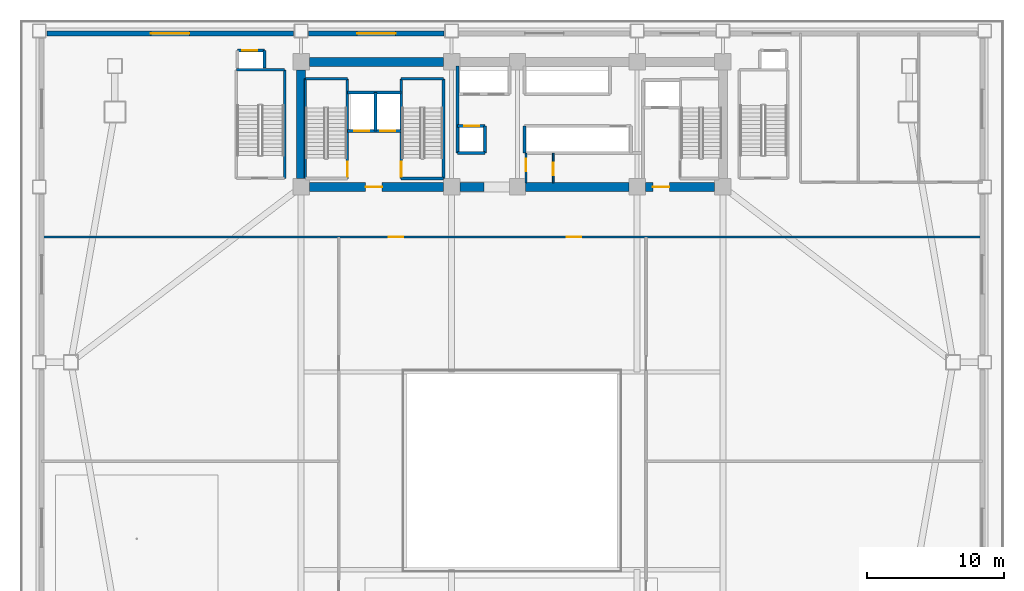
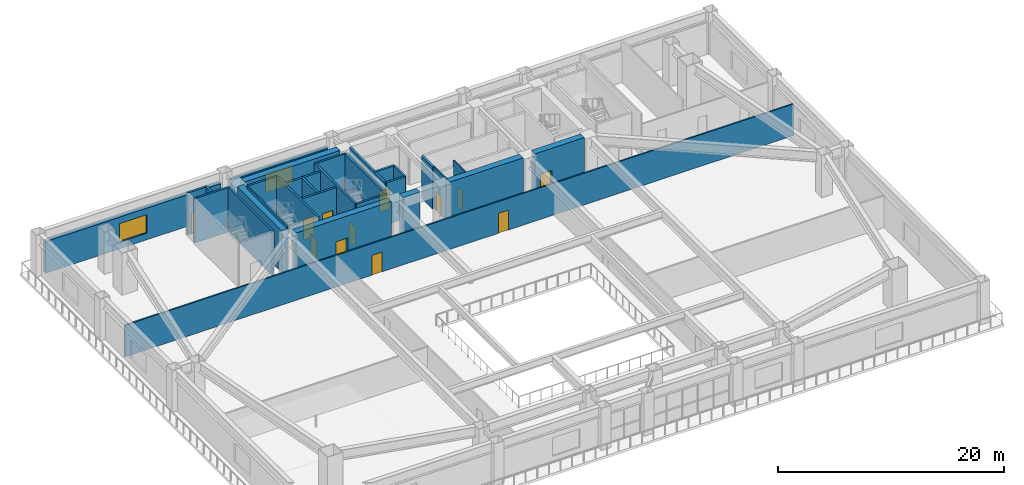
# One storey, part 7 of 14: 30 walls, 12 doors, 2 windows, 14 openings.
"""IFC4 building model written with IfcOpenShell, lengths in metres."""

from ifc_helpers import new_model, si_unit, direction, frame, frame_2d, origin, place, context, subcontext, project, spatial, rectangle, extrude, source, transform, mapped, material, layer, layer_set, type_object, element, fill, save


model = new_model("IFC4")

# Units and contexts
model_context = context("Model", 3, precision=1e-05, world=origin(), true_north=direction((0.0, 1.0)))
body_context = subcontext(model_context, "Body", "Model", "MODEL_VIEW")
ifc_project = project(units=[si_unit("LENGTHUNIT", "METRE"), si_unit("AREAUNIT", "SQUARE_METRE"), si_unit("VOLUMEUNIT", "CUBIC_METRE"), si_unit("PLANEANGLEUNIT", "RADIAN"), si_unit("MASSUNIT", "GRAM", prefix="KILO")], contexts=[model_context])

# Site, building, storey
site_placement = place(None, origin())
site = spatial("IfcSite", under=ifc_project, at=site_placement, CompositionType="ELEMENT")
building_placement = place(site_placement, origin())
building = spatial("IfcBuilding", under=site, at=building_placement, Name="Giltprow Tower", CompositionType="ELEMENT")
storey_placement = place(building_placement, frame((0.0, 0.0, 10.39990234375)))
storey = spatial("IfcBuildingStorey", under=building, at=storey_placement, Name="L03", CompositionType="ELEMENT", Elevation=10.39990234375)

# Wall, opening, window
ifc_material_1 = material(Name="Precast concrete C40", Category="concrete")
ifc_layer_1 = layer(ifc_material_1, 0.360107421875, Name="Precast concrete C40")
ifc_layer_set_1 = layer_set([ifc_layer_1], Name="Precast concrete C40")
wall_type_1 = type_object("IfcWallType", Name="EW-POD-STONE-360", PredefinedType="SOLIDWALL", material=ifc_layer_set_1)
wall_1_placement = place(storey_placement, frame((1.35009765625, 48.6201171875, 0.0), z_axis=(0.0, 0.0, 1.0), x_axis=(1.0, 0.0, 0.0)))
wall_1 = element("IfcWall", 1, at=wall_1_placement, inside=storey, type_object=wall_type_1, Name="L03 North Podium Masonry Wall 1", PredefinedType="SOLIDWALL", context=body_context, shape_type="SweptSolid", body=[
    extrude(rectangle(XDim=17.949951171875, YDim=0.360107421875, at=frame_2d((8.97509765625, 0.0))), origin(), (0.0, 0.0, 1.0), 3.420166015625),
])
opening_1_placement = place(wall_1_placement, frame((7.574951171875, 0.0, 0.719970703125)))
opening_1 = element("IfcOpeningElement", 2, at=opening_1_placement, cuts=wall_1, Name="Opening WN31", PredefinedType="OPENING", context=body_context, shape_type="SweptSolid", body=[
    extrude(rectangle(XDim=2.800048828125, YDim=2.0, at=frame_2d((1.39990234375, 1.0))), frame((0.0, 0.18994140625, 0.0), z_axis=(0.0, -1.0, 0.0), x_axis=(1.0, 0.0, 0.0)), (0.0, 0.0, 1.0), 0.380126953125),
])
ifc_material_2 = material(Name="Insulated glass", Category="glass")
window_type = type_object("IfcWindowType", Name="WN-POD-2800x2000", PartitioningType="SINGLE_PANEL", PredefinedType="WINDOW", material=ifc_material_2)
shared_shape_1 = source(origin(), body_context, "Body", "SweptSolid", [
    extrude(rectangle(XDim=2.800048828125, YDim=2.0, at=frame_2d((1.39990234375, 1.0))), frame((0.0, 0.030029296875, 0.0), z_axis=(0.0, -1.0, 0.0), x_axis=(1.0, 0.0, 0.0)), (0.0, 0.0, 1.0), 0.06005859375),
])
window_1_placement = place(opening_1_placement, origin())
window_1 = element("IfcWindow", 3, at=window_1_placement, inside=storey, type_object=window_type, Name="L03 Podium North Window 1", OverallHeight=2.0, OverallWidth=2.800048828125, PartitioningType="SINGLE_PANEL", PredefinedType="WINDOW", context=body_context, shape_type="MappedRepresentation", body=[
    mapped(shared_shape_1, transform((0.0, 0.0, 0.0), x_axis=(1.0, 0.0, 0.0), y_axis=(0.0, 1.0, 0.0), z_axis=(0.0, 0.0, 1.0), scale=1.0)),
])
fill(opening_1, window_1)

wall_2_placement = place(storey_placement, frame((20.39990234375, 48.6201171875, 0.0), z_axis=(0.0, 0.0, 1.0), x_axis=(1.0, 0.0, 0.0)))
wall_2 = element("IfcWall", 4, at=wall_2_placement, inside=storey, type_object=wall_type_1, Name="L03 North Podium Masonry Wall 2", PredefinedType="SOLIDWALL", context=body_context, shape_type="SweptSolid", body=[
    extrude(rectangle(XDim=9.85009765625, YDim=0.360107421875, at=frame_2d((4.925048828125, 0.0))), origin(), (0.0, 0.0, 1.0), 3.420166015625),
])
opening_2_placement = place(wall_2_placement, frame((3.52490234375, 0.0, 0.719970703125)))
opening_2 = element("IfcOpeningElement", 5, at=opening_2_placement, cuts=wall_2, Name="Opening WN31", PredefinedType="OPENING", context=body_context, shape_type="SweptSolid", body=[
    extrude(rectangle(XDim=2.800048828125, YDim=2.0, at=frame_2d((1.39990234375, 1.0))), frame((0.0, 0.18994140625, 0.0), z_axis=(0.0, -1.0, 0.0), x_axis=(1.0, 0.0, 0.0)), (0.0, 0.0, 1.0), 0.380126953125),
])
window_2_placement = place(opening_2_placement, origin())
window_2 = element("IfcWindow", 6, at=window_2_placement, inside=storey, type_object=window_type, Name="L03 Podium North Window 2", OverallHeight=2.0, OverallWidth=2.800048828125, PartitioningType="SINGLE_PANEL", PredefinedType="WINDOW", context=body_context, shape_type="MappedRepresentation", body=[
    mapped(shared_shape_1, transform((0.0, 0.0, 0.0), x_axis=(1.0, 0.0, 0.0), y_axis=(0.0, 1.0, 0.0), z_axis=(0.0, 0.0, 1.0), scale=1.0)),
])
fill(opening_2, window_2)

# Wall, openings, doors
ifc_material_3 = material(Name="Gypsum stud partition", Category="gypsum")
ifc_layer_2 = layer(ifc_material_3, 0.14990234375, Name="Gypsum stud partition")
ifc_layer_set_2 = layer_set([ifc_layer_2], Name="Gypsum stud partition")
wall_type_2 = type_object("IfcWallType", Name="IW-CORR-150", PredefinedType="PARTITIONING", material=ifc_layer_set_2)
wall_3_placement = place(storey_placement, frame((0.97998046875, 33.800048828125, 0.0), z_axis=(0.0, 0.0, 1.0), x_axis=(1.0, 0.0, 0.0)))
wall_3 = element("IfcWall", 7, at=wall_3_placement, inside=storey, type_object=wall_type_2, Name="L03 Podium North Concourse Wall", PredefinedType="PARTITIONING", context=body_context, shape_type="SweptSolid", body=[
    extrude(rectangle(XDim=68.43994140625, YDim=0.14990234375, at=frame_2d((34.219970703125, 0.0))), origin(), (0.0, 0.0, 1.0), 3.425048828125),
])
opening_3_placement = place(wall_3_placement, frame((25.27001953125, 0.0, 0.0)))
opening_3 = element("IfcOpeningElement", 8, at=opening_3_placement, cuts=wall_3, Name="Opening ID31", PredefinedType="OPENING", context=body_context, shape_type="SweptSolid", body=[
    extrude(rectangle(XDim=1.050048828125, YDim=2.14990234375, at=frame_2d((0.52490234375, 1.074951171875))), frame((0.0, 0.0849609375, 0.0), z_axis=(0.0, -1.0, 0.0), x_axis=(1.0, 0.0, 0.0)), (0.0, 0.0, 1.0), 0.169921875),
])
opening_4_placement = place(wall_3_placement, frame((38.219970703125, 0.0, 0.0)))
opening_4 = element("IfcOpeningElement", 9, at=opening_4_placement, cuts=wall_3, Name="Opening ID31", PredefinedType="OPENING", context=body_context, shape_type="SweptSolid", body=[
    extrude(rectangle(XDim=1.050048828125, YDim=2.14990234375, at=frame_2d((0.52490234375, 1.074951171875))), frame((0.0, 0.0849609375, 0.0), z_axis=(0.0, -1.0, 0.0), x_axis=(1.0, 0.0, 0.0)), (0.0, 0.0, 1.0), 0.169921875),
])
ifc_material_4 = material(Name="Engineered timber", Category="wood")
door_type_1 = type_object("IfcDoorType", Name="DR-SUITE-1050", OperationType="SINGLE_SWING_LEFT", PredefinedType="DOOR", material=ifc_material_4)
shared_shape_2 = source(origin(), body_context, "Body", "SweptSolid", [
    extrude(rectangle(XDim=1.050048828125, YDim=2.14990234375, at=frame_2d((0.52490234375, 1.074951171875))), frame((0.0, 0.02490234375, 0.0), z_axis=(0.0, -1.0, 0.0), x_axis=(1.0, 0.0, 0.0)), (0.0, 0.0, 1.0), 0.050048828125),
])
door_1_placement = place(opening_3_placement, origin())
door_1 = element("IfcDoor", 10, at=door_1_placement, inside=storey, type_object=door_type_1, Name="L03 Atrium Concourse North-West Fire Door", OperationType="SINGLE_SWING_LEFT", OverallHeight=2.14990234375, OverallWidth=1.050048828125, PredefinedType="DOOR", context=body_context, shape_type="MappedRepresentation", body=[
    mapped(shared_shape_2, transform((0.0, 0.0, 0.0), x_axis=(1.0, 0.0, 0.0), y_axis=(0.0, 1.0, 0.0), z_axis=(0.0, 0.0, 1.0), scale=1.0)),
])
fill(opening_3, door_1)
door_2_placement = place(opening_4_placement, origin())
door_2 = element("IfcDoor", 11, at=door_2_placement, inside=storey, type_object=door_type_1, Name="L03 Atrium Concourse North-East Fire Door", OperationType="SINGLE_SWING_RIGHT", OverallHeight=2.14990234375, OverallWidth=1.050048828125, PredefinedType="DOOR", context=body_context, shape_type="MappedRepresentation", body=[
    mapped(shared_shape_2, transform((0.0, 0.0, 0.0), x_axis=(1.0, 0.0, 0.0), y_axis=(0.0, 1.0, 0.0), z_axis=(0.0, 0.0, 1.0), scale=1.0)),
])
fill(opening_4, door_2)

ifc_material_5 = material(Name="Concrete C40", Category="concrete")
ifc_layer_3 = layer(ifc_material_5, 0.219970703125, Name="Concrete C40")
ifc_layer_set_3 = layer_set([ifc_layer_3], Name="Concrete C40")
wall_type_3 = type_object("IfcWallType", Name="IW-SHAFT-220", PredefinedType="SOLIDWALL", material=ifc_layer_set_3)
wall_4_placement = place(storey_placement, frame((23.219970703125, 41.52001953125, 0.0), z_axis=(0.0, 0.0, 1.0), x_axis=(1.0, 0.0, 0.0)))
wall_4 = element("IfcWall", 12, at=wall_4_placement, inside=storey, type_object=wall_type_3, Name="L03 FFL1 and Service Lift Front Wall", PredefinedType="SOLIDWALL", context=body_context, shape_type="SweptSolid", body=[
    extrude(rectangle(XDim=3.919921875, YDim=0.219970703125, at=frame_2d((1.9599609375, 0.0))), origin(), (0.0, 0.0, 1.0), 4.5400390625),
])
opening_5_placement = place(wall_4_placement, frame((0.5, 0.0, 0.0)))
opening_5 = element("IfcOpeningElement", 13, at=opening_5_placement, cuts=wall_4, Name="Opening LD-11", PredefinedType="OPENING", context=body_context, shape_type="SweptSolid", body=[
    extrude(rectangle(XDim=1.10009765625, YDim=2.199951171875, at=frame_2d((0.550048828125, 1.10009765625))), frame((0.0, 0.119873046875, 0.0), z_axis=(0.0, -1.0, 0.0), x_axis=(1.0, 0.0, 0.0)), (0.0, 0.0, 1.0), 0.239990234375),
])
opening_6_placement = place(wall_4_placement, frame((2.39990234375, 0.0, 0.0)))
opening_6 = element("IfcOpeningElement", 14, at=opening_6_placement, cuts=wall_4, Name="Opening LD-11", PredefinedType="OPENING", context=body_context, shape_type="SweptSolid", body=[
    extrude(rectangle(XDim=1.10009765625, YDim=2.199951171875, at=frame_2d((0.550048828125, 1.10009765625))), frame((0.0, 0.119873046875, 0.0), z_axis=(0.0, -1.0, 0.0), x_axis=(1.0, 0.0, 0.0)), (0.0, 0.0, 1.0), 0.239990234375),
])
ifc_material_6 = material(Name="Stainless steel", Category="steel")
door_type_2 = type_object("IfcDoorType", Name="DR-LIFT-LD1100", OperationType="SLIDING_TO_LEFT", PredefinedType="DOOR", material=ifc_material_6)
shared_shape_3 = source(origin(), body_context, "Body", "SweptSolid", [
    extrude(rectangle(XDim=1.10009765625, YDim=2.199951171875, at=frame_2d((0.550048828125, 1.10009765625))), frame((0.0, 0.02490234375, 0.0), z_axis=(0.0, -1.0, 0.0), x_axis=(1.0, 0.0, 0.0)), (0.0, 0.0, 1.0), 0.050048828125),
])
door_3_placement = place(opening_5_placement, origin())
door_3 = element("IfcDoor", 15, at=door_3_placement, inside=storey, type_object=door_type_2, Name="L03 FFL1 Landing Door", OperationType="SLIDING_TO_LEFT", OverallHeight=2.199951171875, OverallWidth=1.10009765625, PredefinedType="DOOR", context=body_context, shape_type="MappedRepresentation", body=[
    mapped(shared_shape_3, transform((0.0, 0.0, 0.0), x_axis=(1.0, 0.0, 0.0), y_axis=(0.0, 1.0, 0.0), z_axis=(0.0, 0.0, 1.0), scale=1.0)),
])
fill(opening_5, door_3)
door_4_placement = place(opening_6_placement, origin())
door_4 = element("IfcDoor", 16, at=door_4_placement, inside=storey, type_object=door_type_2, Name="L03 SVL1 Landing Door", OperationType="SLIDING_TO_LEFT", OverallHeight=2.199951171875, OverallWidth=1.10009765625, PredefinedType="DOOR", context=body_context, shape_type="MappedRepresentation", body=[
    mapped(shared_shape_3, transform((0.0, 0.0, 0.0), x_axis=(1.0, 0.0, 0.0), y_axis=(0.0, 1.0, 0.0), z_axis=(0.0, 0.0, 1.0), scale=1.0)),
])
fill(opening_6, door_4)

# Walls
wall_5_placement = place(storey_placement, frame((25.260009765625, 41.52001953125, 0.0), z_axis=(0.0, 0.0, 1.0), x_axis=(0.0, 1.0, 0.0)))
element("IfcWall", 17, at=wall_5_placement, inside=storey, type_object=wall_type_3, Name="L03 FFL1-SVL1 Shaft Divider", PredefinedType="SOLIDWALL", context=body_context, shape_type="SweptSolid", body=[
    extrude(rectangle(XDim=2.800048828125, YDim=0.219970703125, at=frame_2d((1.39990234375, 0.0))), origin(), (0.0, 0.0, 1.0), 4.5400390625),
])
wall_6_placement = place(storey_placement, frame((23.219970703125, 44.320068359375, 0.0), z_axis=(0.0, 0.0, 1.0), x_axis=(1.0, 0.0, 0.0)))
element("IfcWall", 18, at=wall_6_placement, inside=storey, type_object=wall_type_3, Name="L03 FFL1-SVL1 Back Shaft Wall", PredefinedType="SOLIDWALL", context=body_context, shape_type="SweptSolid", body=[
    extrude(rectangle(XDim=3.919921875, YDim=0.219970703125, at=frame_2d((1.9599609375, 0.0))), origin(), (0.0, 0.0, 1.0), 4.5400390625),
])

# Wall, opening, door
wall_7_placement = place(storey_placement, frame((15.22998046875, 47.3798828125, 0.0), z_axis=(0.0, 0.0, 1.0), x_axis=(1.0, 0.0, 0.0)))
wall_7 = element("IfcWall", 19, at=wall_7_placement, inside=storey, type_object=wall_type_3, Name="L03 PL-P1 Front Wall", PredefinedType="SOLIDWALL", context=body_context, shape_type="SweptSolid", body=[
    extrude(rectangle(XDim=1.9599609375, YDim=0.219970703125, at=frame_2d((0.97998046875, 0.0))), origin(), (0.0, 0.0, 1.0), 4.5400390625),
])
opening_7_placement = place(wall_7_placement, frame((0.35009765625, 0.0, 0.0)))
opening_7 = element("IfcOpeningElement", 20, at=opening_7_placement, cuts=wall_7, Name="Opening LD-11", PredefinedType="OPENING", context=body_context, shape_type="SweptSolid", body=[
    extrude(rectangle(XDim=1.10009765625, YDim=2.199951171875, at=frame_2d((0.550048828125, 1.10009765625))), frame((0.0, 0.119873046875, 0.0), z_axis=(0.0, -1.0, 0.0), x_axis=(1.0, 0.0, 0.0)), (0.0, 0.0, 1.0), 0.239990234375),
])
door_5_placement = place(opening_7_placement, origin())
door_5 = element("IfcDoor", 21, at=door_5_placement, inside=storey, type_object=door_type_2, Name="L03 PL-P1 Landing Door", OperationType="SLIDING_TO_LEFT", OverallHeight=2.199951171875, OverallWidth=1.10009765625, PredefinedType="DOOR", context=body_context, shape_type="MappedRepresentation", body=[
    mapped(shared_shape_3, transform((0.0, 0.0, 0.0), x_axis=(1.0, 0.0, 0.0), y_axis=(0.0, 1.0, 0.0), z_axis=(0.0, 0.0, 1.0), scale=1.0)),
])
fill(opening_7, door_5)

# Wall
wall_8_placement = place(storey_placement, frame((17.18994140625, 46.090087890625, 0.0), z_axis=(0.0, 0.0, 1.0), x_axis=(0.0, 1.0, 0.0)))
element("IfcWall", 22, at=wall_8_placement, inside=storey, type_object=wall_type_3, Name="L03 PL-P1 East Shaft Wall", PredefinedType="SOLIDWALL", context=body_context, shape_type="SweptSolid", body=[
    extrude(rectangle(XDim=1.289794921875, YDim=0.219970703125, at=frame_2d((0.64501953125, 0.0))), origin(), (0.0, 0.0, 1.0), 4.5400390625),
])

# Wall, opening, door
wall_9_placement = place(storey_placement, frame((31.25, 41.8798828125, 0.0), z_axis=(0.0, 0.0, 1.0), x_axis=(1.0, 0.0, 0.0)))
wall_9 = element("IfcWall", 23, at=wall_9_placement, inside=storey, type_object=wall_type_3, Name="L03 South West Lift Shaft Front Wall", PredefinedType="SOLIDWALL", context=body_context, shape_type="SweptSolid", body=[
    extrude(rectangle(XDim=1.969970703125, YDim=0.219970703125, at=frame_2d((0.98486328125, 0.0))), origin(), (0.0, 0.0, 1.0), 4.5400390625),
])
opening_8_placement = place(wall_9_placement, frame((0.4599609375, 0.0, 0.0)))
opening_8 = element("IfcOpeningElement", 24, at=opening_8_placement, cuts=wall_9, Name="Opening LD-11", PredefinedType="OPENING", context=body_context, shape_type="SweptSolid", body=[
    extrude(rectangle(XDim=1.10009765625, YDim=2.199951171875, at=frame_2d((0.550048828125, 1.10009765625))), frame((0.0, 0.119873046875, 0.0), z_axis=(0.0, -1.0, 0.0), x_axis=(1.0, 0.0, 0.0)), (0.0, 0.0, 1.0), 0.239990234375),
])
door_6_placement = place(opening_8_placement, origin())
door_6 = element("IfcDoor", 25, at=door_6_placement, inside=storey, type_object=door_type_2, Name="L03 PL-L3 Landing Door", OperationType="SLIDING_TO_LEFT", OverallHeight=2.199951171875, OverallWidth=1.10009765625, PredefinedType="DOOR", context=body_context, shape_type="MappedRepresentation", body=[
    mapped(shared_shape_3, transform((0.0, 0.0, 0.0), x_axis=(1.0, 0.0, 0.0), y_axis=(0.0, 1.0, 0.0), z_axis=(0.0, 0.0, 1.0), scale=1.0)),
])
fill(opening_8, door_6)

# Walls
wall_10_placement = place(storey_placement, frame((31.25, 39.919921875, 0.0), z_axis=(0.0, 0.0, 1.0), x_axis=(1.0, 0.0, 0.0)))
element("IfcWall", 26, at=wall_10_placement, inside=storey, type_object=wall_type_3, Name="L03 Low-Rise South Lift Back Wall", PredefinedType="SOLIDWALL", context=body_context, shape_type="SweptSolid", body=[
    extrude(rectangle(XDim=1.969970703125, YDim=0.219970703125, at=frame_2d((0.98486328125, 0.0))), origin(), (0.0, 0.0, 1.0), 4.5400390625),
])
for number, where, z_axis, x_axis, name in (
    (27, (33.219970703125, 39.919921875, 0.0), (0.0, 0.0, 1.0), (0.0, 1.0, 0.0), "L03 Low-Rise South Lift East Closure"),
    (28, (36.1201171875, 39.919921875, 0.0), (0.0, 0.0, 1.0), (0.0, 1.0, 0.0), "L03 Express South Shaft West Closure"),
):
    element("IfcWall", number, at=place(storey_placement, frame(where, z_axis=z_axis, x_axis=x_axis)), inside=storey, type_object=wall_type_3, Name=name, PredefinedType="SOLIDWALL", context=body_context, shape_type="SweptSolid", body=[
        extrude(rectangle(XDim=1.9599609375, YDim=0.219970703125, at=frame_2d((0.97998046875, 0.0))), origin(), (0.0, 0.0, 1.0), 4.5400390625),
    ])
wall_11_placement = place(storey_placement, frame((31.25, 39.919921875, 0.0), z_axis=(0.0, 0.0, 1.0), x_axis=(0.0, 1.0, 0.0)))
element("IfcWall", 29, at=wall_11_placement, inside=storey, type_object=wall_type_3, Name="L03 Lift Bank West Closure", PredefinedType="SOLIDWALL", context=body_context, shape_type="SweptSolid", body=[
    extrude(rectangle(XDim=6.3251953125, YDim=0.219970703125, at=frame_2d((3.16259765625, 0.0))), origin(), (0.0, 0.0, 1.0), 4.5400390625),
])
ifc_material_7 = material(Name="Concrete C45", Category="concrete")
ifc_layer_4 = layer(ifc_material_7, 0.139892578125, Name="Concrete C45")
ifc_layer_set_4 = layer_set([ifc_layer_4], Name="Concrete C45")
wall_type_4 = type_object("IfcWallType", Name="IW-STAIR-140", PredefinedType="SOLIDWALL", material=ifc_layer_set_4)
wall_12_placement = place(storey_placement, frame((20.169921875, 38.070068359375, 0.0), z_axis=(0.0, 0.0, 1.0), x_axis=(0.0, 1.0, 0.0)))
element("IfcWall", 30, at=wall_12_placement, inside=storey, type_object=wall_type_4, Name="L03 Stair ST-1 West Bearing Wall", PredefinedType="SOLIDWALL", context=body_context, shape_type="SweptSolid", body=[
    extrude(rectangle(XDim=7.25, YDim=0.139892578125, at=frame_2d((3.625, 0.0))), origin(), (0.0, 0.0, 1.0), 4.800048828125),
])

# Wall, opening, door
ifc_layer_5 = layer(ifc_material_5, 0.199951171875, Name="Concrete C40")
ifc_layer_set_5 = layer_set([ifc_layer_5], Name="Concrete C40")
wall_type_5 = type_object("IfcWallType", Name="IW-STAIR-200", PredefinedType="SOLIDWALL", material=ifc_layer_set_5)
wall_13_placement = place(storey_placement, frame((23.219970703125, 38.070068359375, 0.0), z_axis=(0.0, 0.0, 1.0), x_axis=(0.0, 1.0, 0.0)))
wall_13 = element("IfcWall", 31, at=wall_13_placement, inside=storey, type_object=wall_type_5, Name="L03 Stair ST-1 East Bearing Wall", PredefinedType="SOLIDWALL", context=body_context, shape_type="SweptSolid", body=[
    extrude(rectangle(XDim=7.25, YDim=0.199951171875, at=frame_2d((3.625, 0.0))), origin(), (0.0, 0.0, 1.0), 4.800048828125),
])
opening_9_placement = place(wall_13_placement, frame((0.110107421875, 0.0, 0.0)))
opening_9 = element("IfcOpeningElement", 32, at=opening_9_placement, cuts=wall_13, Name="Opening ID33", PredefinedType="OPENING", context=body_context, shape_type="SweptSolid", body=[
    extrude(rectangle(XDim=1.10009765625, YDim=2.14990234375, at=frame_2d((0.550048828125, 1.074951171875))), frame((0.0, 0.10986328125, 0.0), z_axis=(0.0, -1.0, 0.0), x_axis=(1.0, 0.0, 0.0)), (0.0, 0.0, 1.0), 0.219970703125),
])
ifc_material_8 = material(Name="Steel fire leaf", Category="steel")
door_type_3 = type_object("IfcDoorType", Name="DR-STAIR-1100", OperationType="SINGLE_SWING_LEFT", PredefinedType="DOOR", material=ifc_material_8)
shared_shape_4 = source(origin(), body_context, "Body", "SweptSolid", [
    extrude(rectangle(XDim=1.10009765625, YDim=2.14990234375, at=frame_2d((0.550048828125, 1.074951171875))), frame((0.0, 0.02490234375, 0.0), z_axis=(0.0, -1.0, 0.0), x_axis=(1.0, 0.0, 0.0)), (0.0, 0.0, 1.0), 0.050048828125),
])
door_7_placement = place(opening_9_placement, origin())
door_7 = element("IfcDoor", 33, at=door_7_placement, inside=storey, type_object=door_type_3, Name="L03 Stair ST-1 Fire Door", OperationType="SINGLE_SWING_RIGHT", OverallHeight=2.14990234375, OverallWidth=1.10009765625, PredefinedType="DOOR", context=body_context, shape_type="MappedRepresentation", body=[
    mapped(shared_shape_4, transform((0.0, 0.0, 0.0), x_axis=(1.0, 0.0, 0.0), y_axis=(0.0, 1.0, 0.0), z_axis=(0.0, 0.0, 1.0), scale=1.0)),
])
fill(opening_9, door_7)

# Wall
wall_14_placement = place(storey_placement, frame((20.169921875, 45.320068359375, 0.0), z_axis=(0.0, 0.0, 1.0), x_axis=(1.0, 0.0, 0.0)))
element("IfcWall", 34, at=wall_14_placement, inside=storey, type_object=wall_type_5, Name="L03 Stair ST-1 North Bearing Wall", PredefinedType="SOLIDWALL", context=body_context, shape_type="SweptSolid", body=[
    extrude(rectangle(XDim=3.050048828125, YDim=0.199951171875, at=frame_2d((1.52490234375, 0.0))), origin(), (0.0, 0.0, 1.0), 4.800048828125),
])

# Wall, opening, door
wall_15_placement = place(storey_placement, frame((27.139892578125, 38.070068359375, 0.0), z_axis=(0.0, 0.0, 1.0), x_axis=(0.0, 1.0, 0.0)))
wall_15 = element("IfcWall", 35, at=wall_15_placement, inside=storey, type_object=wall_type_5, Name="L03 Stair ST-2 West Bearing Wall", PredefinedType="SOLIDWALL", context=body_context, shape_type="SweptSolid", body=[
    extrude(rectangle(XDim=7.25, YDim=0.199951171875, at=frame_2d((3.625, 0.0))), origin(), (0.0, 0.0, 1.0), 4.800048828125),
])
opening_10_placement = place(wall_15_placement, frame((0.110107421875, 0.0, 0.0)))
opening_10 = element("IfcOpeningElement", 36, at=opening_10_placement, cuts=wall_15, Name="Opening ID33", PredefinedType="OPENING", context=body_context, shape_type="SweptSolid", body=[
    extrude(rectangle(XDim=1.10009765625, YDim=2.14990234375, at=frame_2d((0.550048828125, 1.074951171875))), frame((0.0, 0.10986328125, 0.0), z_axis=(0.0, -1.0, 0.0), x_axis=(1.0, 0.0, 0.0)), (0.0, 0.0, 1.0), 0.219970703125),
])
door_8_placement = place(opening_10_placement, origin())
door_8 = element("IfcDoor", 37, at=door_8_placement, inside=storey, type_object=door_type_3, Name="L03 Stair ST-2 Fire Door", OperationType="SINGLE_SWING_LEFT", OverallHeight=2.14990234375, OverallWidth=1.10009765625, PredefinedType="DOOR", context=body_context, shape_type="MappedRepresentation", body=[
    mapped(shared_shape_4, transform((0.0, 0.0, 0.0), x_axis=(1.0, 0.0, 0.0), y_axis=(0.0, 1.0, 0.0), z_axis=(0.0, 0.0, 1.0), scale=1.0)),
])
fill(opening_10, door_8)

# Walls
wall_16_placement = place(storey_placement, frame((30.219970703125, 38.070068359375, 0.0), z_axis=(0.0, 0.0, 1.0), x_axis=(0.0, 1.0, 0.0)))
element("IfcWall", 38, at=wall_16_placement, inside=storey, type_object=wall_type_5, Name="L03 Stair ST-2 East Bearing Wall", PredefinedType="SOLIDWALL", context=body_context, shape_type="SweptSolid", body=[
    extrude(rectangle(XDim=7.25, YDim=0.199951171875, at=frame_2d((3.625, 0.0))), origin(), (0.0, 0.0, 1.0), 4.800048828125),
])
for number, where, z_axis, x_axis, name in (
    (39, (27.139892578125, 45.320068359375, 0.0), (0.0, 0.0, 1.0), (1.0, 0.0, 0.0), "L03 Stair ST-2 North Bearing Wall"),
    (40, (27.139892578125, 38.070068359375, 0.0), (0.0, 0.0, 1.0), (1.0, 0.0, 0.0), "L03 Stair ST-2 South Bearing Wall"),
):
    element("IfcWall", number, at=place(storey_placement, frame(where, z_axis=z_axis, x_axis=x_axis)), inside=storey, type_object=wall_type_5, Name=name, PredefinedType="SOLIDWALL", context=body_context, shape_type="SweptSolid", body=[
        extrude(rectangle(XDim=3.080078125, YDim=0.199951171875, at=frame_2d((1.5400390625, 0.0))), origin(), (0.0, 0.0, 1.0), 4.800048828125),
    ])
wall_17_placement = place(storey_placement, frame((18.659912109375, 38.080078125, 0.0), z_axis=(0.0, 0.0, 1.0), x_axis=(0.0, 1.0, 0.0)))
element("IfcWall", 41, at=wall_17_placement, inside=storey, type_object=wall_type_5, Name="L03 Podium Stair ST-P1 East Bearing Wall", PredefinedType="SOLIDWALL", context=body_context, shape_type="SweptSolid", body=[
    extrude(rectangle(XDim=7.89990234375, YDim=0.199951171875, at=frame_2d((3.949951171875, 0.0))), origin(), (0.0, 0.0, 1.0), 4.800048828125),
])
wall_18_placement = place(storey_placement, frame((15.139892578125, 45.97998046875, 0.0), z_axis=(0.0, 0.0, 1.0), x_axis=(1.0, 0.0, 0.0)))
element("IfcWall", 42, at=wall_18_placement, inside=storey, type_object=wall_type_5, Name="L03 Podium Stair ST-P1 North Bearing Wall", PredefinedType="SOLIDWALL", context=body_context, shape_type="SweptSolid", body=[
    extrude(rectangle(XDim=3.52001953125, YDim=0.199951171875, at=frame_2d((1.760009765625, 0.0))), origin(), (0.0, 0.0, 1.0), 4.800048828125),
])

# Wall, opening, door
ifc_material_9 = material(Name="Concrete C30", Category="concrete")
ifc_layer_6 = layer(ifc_material_9, 0.1298828125, Name="Concrete C30")
ifc_layer_set_6 = layer_set([ifc_layer_6], Name="Concrete C30")
wall_type_6 = type_object("IfcWallType", Name="IW-WET-130", PredefinedType="PARTITIONING", material=ifc_layer_set_6)
wall_19_placement = place(storey_placement, frame((36.219970703125, 37.7548828125, 0.0), z_axis=(0.0, 0.0, 1.0), x_axis=(0.0, 1.0, 0.0)))
wall_19 = element("IfcWall", 43, at=wall_19_placement, inside=storey, type_object=wall_type_6, Name="L03 Core Suite West Wall", PredefinedType="PARTITIONING", context=body_context, shape_type="SweptSolid", body=[
    extrude(rectangle(XDim=2.1650390625, YDim=0.1298828125, at=frame_2d((1.08251953125, 0.0))), origin(), (0.0, 0.0, 1.0), 4.5400390625),
])
opening_11_placement = place(wall_19_placement, frame((0.85498046875, 0.0, 0.0)))
opening_11 = element("IfcOpeningElement", 44, at=opening_11_placement, cuts=wall_19, Name="Opening ID35", PredefinedType="OPENING", context=body_context, shape_type="SweptSolid", body=[
    extrude(rectangle(XDim=0.89990234375, YDim=2.10009765625, at=frame_2d((0.449951171875, 1.050048828125))), frame((0.0, 0.074951171875, 0.0), z_axis=(0.0, -1.0, 0.0), x_axis=(1.0, 0.0, 0.0)), (0.0, 0.0, 1.0), 0.14990234375),
])
door_type_4 = type_object("IfcDoorType", Name="DR-SHAFT-900", OperationType="SINGLE_SWING_LEFT", PredefinedType="DOOR", material=ifc_material_8)
shared_shape_5 = source(origin(), body_context, "Body", "SweptSolid", [
    extrude(rectangle(XDim=0.89990234375, YDim=2.10009765625, at=frame_2d((0.449951171875, 1.050048828125))), frame((0.0, 0.02490234375, 0.0), z_axis=(0.0, -1.0, 0.0), x_axis=(1.0, 0.0, 0.0)), (0.0, 0.0, 1.0), 0.050048828125),
])
door_9_placement = place(opening_11_placement, origin())
door_9 = element("IfcDoor", 45, at=door_9_placement, inside=storey, type_object=door_type_4, Name="L03 Core Accessible WC Door", OperationType="SINGLE_SWING_RIGHT", OverallHeight=2.10009765625, OverallWidth=0.89990234375, PredefinedType="DOOR", context=body_context, shape_type="MappedRepresentation", body=[
    mapped(shared_shape_5, transform((0.0, 0.0, 0.0), x_axis=(1.0, 0.0, 0.0), y_axis=(0.0, 1.0, 0.0), z_axis=(0.0, 0.0, 1.0), scale=1.0)),
])
fill(opening_11, door_9)

wall_20_placement = place(storey_placement, frame((38.199951171875, 37.7548828125, 0.0), z_axis=(0.0, 0.0, 1.0), x_axis=(0.0, 1.0, 0.0)))
wall_20 = element("IfcWall", 46, at=wall_20_placement, inside=storey, type_object=wall_type_6, Name="L03 Core Suite Asymmetric Wall", PredefinedType="PARTITIONING", context=body_context, shape_type="SweptSolid", body=[
    extrude(rectangle(XDim=2.1650390625, YDim=0.1298828125, at=frame_2d((1.08251953125, 0.0))), origin(), (0.0, 0.0, 1.0), 4.5400390625),
])
opening_12_placement = place(wall_20_placement, frame((0.56494140625, 0.0, 0.0)))
opening_12 = element("IfcOpeningElement", 47, at=opening_12_placement, cuts=wall_20, Name="Opening ID35", PredefinedType="OPENING", context=body_context, shape_type="SweptSolid", body=[
    extrude(rectangle(XDim=0.89990234375, YDim=2.10009765625, at=frame_2d((0.449951171875, 1.050048828125))), frame((0.0, 0.074951171875, 0.0), z_axis=(0.0, -1.0, 0.0), x_axis=(1.0, 0.0, 0.0)), (0.0, 0.0, 1.0), 0.14990234375),
])
door_10_placement = place(opening_12_placement, origin())
door_10 = element("IfcDoor", 48, at=door_10_placement, inside=storey, type_object=door_type_4, Name="L03 Core Mail Room Door", OperationType="SINGLE_SWING_RIGHT", OverallHeight=2.10009765625, OverallWidth=0.89990234375, PredefinedType="DOOR", context=body_context, shape_type="MappedRepresentation", body=[
    mapped(shared_shape_5, transform((0.0, 0.0, 0.0), x_axis=(1.0, 0.0, 0.0), y_axis=(0.0, 1.0, 0.0), z_axis=(0.0, 0.0, 1.0), scale=1.0)),
])
fill(opening_12, door_10)

# Wall
ifc_material_10 = material(Name="Concrete C60", Category="concrete")
ifc_layer_7 = layer(ifc_material_10, 0.64990234375, Name="Concrete C60")
ifc_layer_set_7 = layer_set([ifc_layer_7], Name="Concrete C60")
wall_type_7 = type_object("IfcWallType", Name="SW-INT-650-C60", PredefinedType="SHEAR", material=ifc_layer_set_7)
wall_21_placement = place(storey_placement, frame((20.449951171875, 46.550048828125, 0.0), z_axis=(0.0, 0.0, 1.0), x_axis=(1.0, 0.0, 0.0)))
element("IfcWall", 49, at=wall_21_placement, inside=storey, type_object=wall_type_7, Name="L03 North Rear Core Shear Wall 1", PredefinedType="SHEAR", context=body_context, shape_type="SweptSolid", body=[
    extrude(rectangle(XDim=9.75, YDim=0.64990234375, at=frame_2d((4.875, 0.0))), origin(), (0.0, 0.0, 1.0), 4.5400390625),
])

# Wall, opening, door
wall_22_placement = place(storey_placement, frame((20.449951171875, 37.449951171875, 0.0), z_axis=(0.0, 0.0, 1.0), x_axis=(1.0, 0.0, 0.0)))
wall_22 = element("IfcWall", 50, at=wall_22_placement, inside=storey, type_object=wall_type_7, Name="L03 South Rear Core Shear Wall West", PredefinedType="SHEAR", context=body_context, shape_type="SweptSolid", body=[
    extrude(rectangle(XDim=9.75, YDim=0.64990234375, at=frame_2d((4.875, 0.0))), origin(), (0.0, 0.0, 1.0), 4.5400390625),
])
opening_13_placement = place(wall_22_placement, frame((4.10009765625, 0.0, 0.0)))
opening_13 = element("IfcOpeningElement", 51, at=opening_13_placement, cuts=wall_22, Name="Opening ID19", PredefinedType="OPENING", context=body_context, shape_type="SweptSolid", body=[
    extrude(rectangle(XDim=1.199951171875, YDim=2.14990234375, at=frame_2d((0.60009765625, 1.074951171875))), frame((0.0, 0.3349609375, 0.0), z_axis=(0.0, -1.0, 0.0), x_axis=(1.0, 0.0, 0.0)), (0.0, 0.0, 1.0), 0.669921875),
])
door_type_5 = type_object("IfcDoorType", Name="DR-FFLOBBY-1200", OperationType="SINGLE_SWING_RIGHT", PredefinedType="DOOR", material=ifc_material_8)
shared_shape_6 = source(origin(), body_context, "Body", "SweptSolid", [
    extrude(rectangle(XDim=1.199951171875, YDim=2.14990234375, at=frame_2d((0.60009765625, 1.074951171875))), frame((0.0, 0.02490234375, 0.0), z_axis=(0.0, -1.0, 0.0), x_axis=(1.0, 0.0, 0.0)), (0.0, 0.0, 1.0), 0.050048828125),
])
door_11_placement = place(opening_13_placement, origin())
door_11 = element("IfcDoor", 52, at=door_11_placement, inside=storey, type_object=door_type_5, Name="L03 West Firefighting Lobby Entry Door", OperationType="SINGLE_SWING_LEFT", OverallHeight=2.14990234375, OverallWidth=1.199951171875, PredefinedType="DOOR", context=body_context, shape_type="MappedRepresentation", body=[
    mapped(shared_shape_6, transform((0.0, 0.0, 0.0), x_axis=(1.0, 0.0, 0.0), y_axis=(0.0, 1.0, 0.0), z_axis=(0.0, 0.0, 1.0), scale=1.0)),
])
fill(opening_13, door_11)

# Walls
wall_23_placement = place(storey_placement, frame((31.39990234375, 37.449951171875, 0.0), z_axis=(0.0, 0.0, 1.0), x_axis=(1.0, 0.0, 0.0)))
element("IfcWall", 53, at=wall_23_placement, inside=storey, type_object=wall_type_7, Name="L03 South Rear Core Shear Wall Mid-West", PredefinedType="SHEAR", context=body_context, shape_type="SweptSolid", body=[
    extrude(rectangle(XDim=1.75, YDim=0.64990234375, at=frame_2d((0.875, 0.0))), origin(), (0.0, 0.0, 1.0), 4.5400390625),
])
wall_24_placement = place(storey_placement, frame((36.199951171875, 37.449951171875, 0.0), z_axis=(0.0, 0.0, 1.0), x_axis=(1.0, 0.0, 0.0)))
element("IfcWall", 54, at=wall_24_placement, inside=storey, type_object=wall_type_7, Name="L03 South Rear Core Shear Wall Mid-East", PredefinedType="SHEAR", context=body_context, shape_type="SweptSolid", body=[
    extrude(rectangle(XDim=7.5, YDim=0.64990234375, at=frame_2d((3.75, 0.0))), origin(), (0.0, 0.0, 1.0), 4.5400390625),
])

# Wall, opening, door
wall_25_placement = place(storey_placement, frame((44.89990234375, 37.449951171875, 0.0), z_axis=(0.0, 0.0, 1.0), x_axis=(1.0, 0.0, 0.0)))
wall_25 = element("IfcWall", 55, at=wall_25_placement, inside=storey, type_object=wall_type_7, Name="L03 South Rear Core Shear Wall East", PredefinedType="SHEAR", context=body_context, shape_type="SweptSolid", body=[
    extrude(rectangle(XDim=5.050048828125, YDim=0.64990234375, at=frame_2d((2.52490234375, 0.0))), origin(), (0.0, 0.0, 1.0), 4.5400390625),
])
opening_14_placement = place(wall_25_placement, frame((0.550048828125, 0.0, 0.0)))
opening_14 = element("IfcOpeningElement", 56, at=opening_14_placement, cuts=wall_25, Name="Opening ID19", PredefinedType="OPENING", context=body_context, shape_type="SweptSolid", body=[
    extrude(rectangle(XDim=1.199951171875, YDim=2.14990234375, at=frame_2d((0.60009765625, 1.074951171875))), frame((0.0, 0.3349609375, 0.0), z_axis=(0.0, -1.0, 0.0), x_axis=(1.0, 0.0, 0.0)), (0.0, 0.0, 1.0), 0.669921875),
])
door_12_placement = place(opening_14_placement, origin())
door_12 = element("IfcDoor", 57, at=door_12_placement, inside=storey, type_object=door_type_5, Name="L03 East Firefighting Lobby Entry Door", OperationType="SINGLE_SWING_RIGHT", OverallHeight=2.14990234375, OverallWidth=1.199951171875, PredefinedType="DOOR", context=body_context, shape_type="MappedRepresentation", body=[
    mapped(shared_shape_6, transform((0.0, 0.0, 0.0), x_axis=(1.0, 0.0, 0.0), y_axis=(0.0, 1.0, 0.0), z_axis=(0.0, 0.0, 1.0), scale=1.0)),
])
fill(opening_14, door_12)

# Wall
wall_26_placement = place(storey_placement, frame((19.85009765625, 38.050048828125, 0.0), z_axis=(0.0, 0.0, 1.0), x_axis=(0.0, 1.0, 0.0)))
element("IfcWall", 58, at=wall_26_placement, inside=storey, type_object=wall_type_7, Name="L03 W Rear Core Shear Wall", PredefinedType="SHEAR", context=body_context, shape_type="SweptSolid", body=[
    extrude(rectangle(XDim=7.89990234375, YDim=0.64990234375, at=frame_2d((3.949951171875, 0.0))), origin(), (0.0, 0.0, 1.0), 4.5400390625),
])

save(model, "model.ifc")
